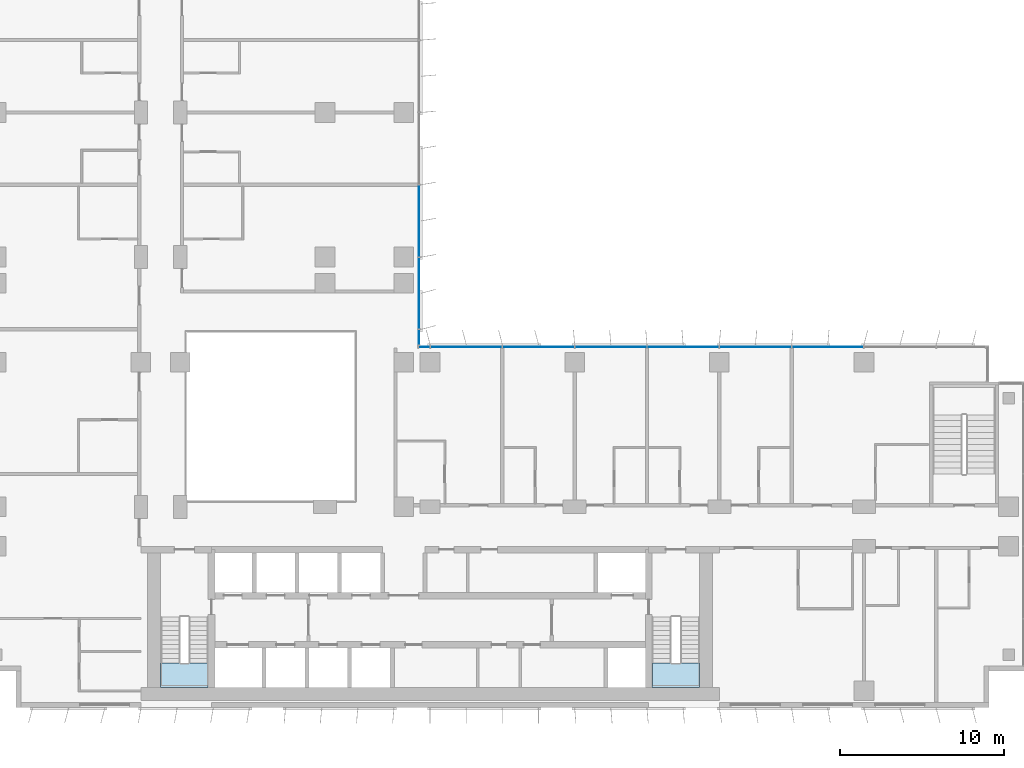
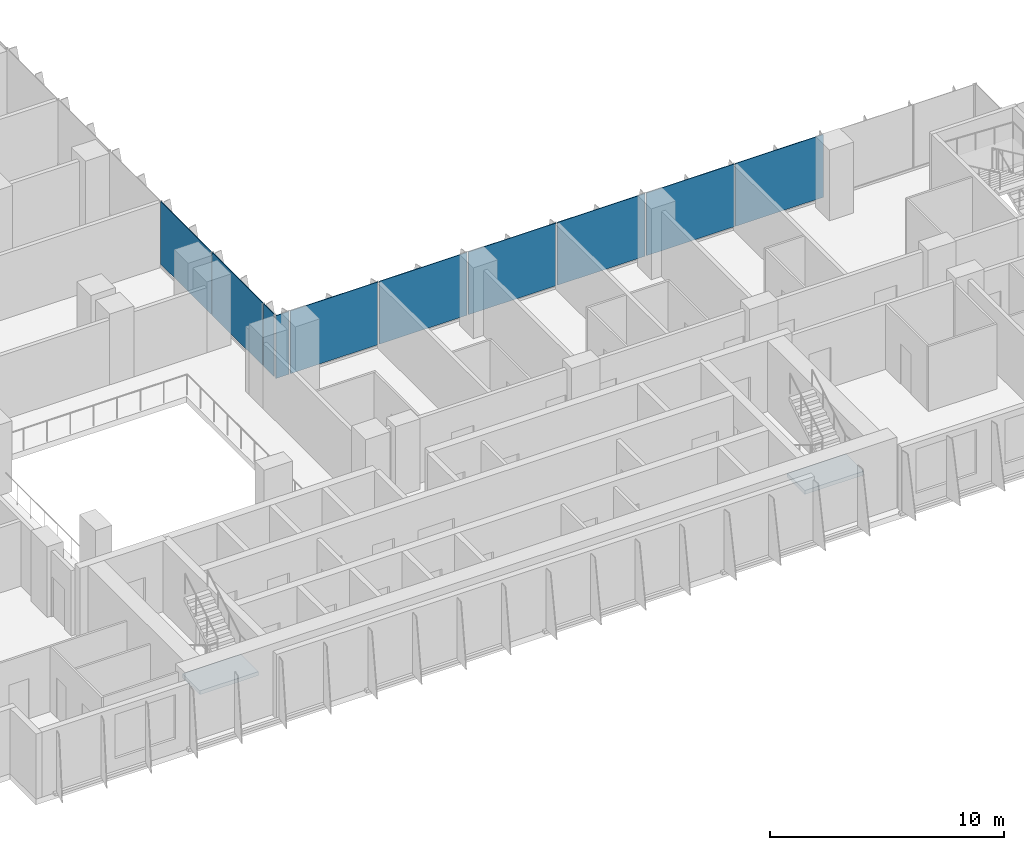
# One storey, part 10 of 23: 10 plates, 2 slabs, 4 elements without a shape of their own.
"""IFC4 building model written with IfcOpenShell, lengths in metres."""

from ifc_helpers import new_model, si_unit, direction, frame, origin, origin_2d, place, context, subcontext, project, spatial, polyline, rectangle, outline, extrude, source, transform, mapped, material, layer, layer_set, type_object, element, aggregate, save


model = new_model("IFC4")

# Units and contexts
model_context = context("Model", 3, precision=1e-05, world=origin(), true_north=direction((0.0, 1.0)))
body_context = subcontext(model_context, "Body", "Model", "MODEL_VIEW")
ifc_project = project(units=[si_unit("LENGTHUNIT", "METRE"), si_unit("AREAUNIT", "SQUARE_METRE"), si_unit("VOLUMEUNIT", "CUBIC_METRE"), si_unit("PLANEANGLEUNIT", "RADIAN"), si_unit("MASSUNIT", "GRAM", prefix="KILO")], contexts=[model_context])

# Site, building, storey
site_placement = place(None, origin())
site = spatial("IfcSite", under=ifc_project, at=site_placement, CompositionType="ELEMENT")
building_placement = place(site_placement, origin())
building = spatial("IfcBuilding", under=site, at=building_placement, Name="Kemantara Hotel Tower", CompositionType="ELEMENT")
storey_placement = place(building_placement, frame((0.0, 0.0, 138.300048828125)))
storey = spatial("IfcBuildingStorey", under=building, at=storey_placement, Name="L33", CompositionType="ELEMENT", Elevation=138.300048828125)

# Stair, slab
ifc_material_1 = material(Name="Concrete fc 40 MPa", Category="concrete")
stair_type = type_object("IfcStairType", Name="Stair 1200 wide 22 risers of 168 x 280 mm", PredefinedType="HALF_TURN_STAIR", material=ifc_material_1)
stair_1_placement = place(storey_placement, origin())
stair_1 = element("IfcStair", 1, at=stair_1_placement, inside=storey, type_object=stair_type, Name="L33 Exit stair ST1", PredefinedType="HALF_TURN_STAIR")
ifc_layer_1 = layer(ifc_material_1, 0.199951171875)
ifc_layer_set_1 = layer_set([ifc_layer_1], Name="Concrete fc 40 MPa")
slab_type = type_object("IfcSlabType", Name="Stair landing 200 mm", PredefinedType="LANDING", material=ifc_layer_set_1)
slab_1_placement = place(storey_placement, frame((0.0, 0.0, 1.64990234375)))
slab_1 = element("IfcSlab", 2, at=slab_1_placement, type_object=slab_type, Name="ST1 landing 1", PredefinedType="LANDING", context=body_context, shape_type="SweptSolid", body=[
    extrude(outline(polyline([(11.0, 2.699951171875), (11.0, 1.199951171875), (13.89990234375, 1.199951171875), (13.89990234375, 2.699951171875), (11.0, 2.699951171875)])), origin(), (0.0, 0.0, 1.0), 0.199951171875),
])
aggregate(stair_1, [slab_1])

stair_2_placement = place(storey_placement, origin())
stair_2 = element("IfcStair", 3, at=stair_2_placement, inside=storey, type_object=stair_type, Name="L33 Exit stair ST2", PredefinedType="HALF_TURN_STAIR")
slab_2_placement = place(storey_placement, frame((0.0, 0.0, 1.64990234375)))
slab_2 = element("IfcSlab", 4, at=slab_2_placement, type_object=slab_type, Name="ST2 landing 1", PredefinedType="LANDING", context=body_context, shape_type="SweptSolid", body=[
    extrude(outline(polyline([(40.89990234375, 2.699951171875), (40.89990234375, 1.199951171875), (43.800048828125, 1.199951171875), (43.800048828125, 2.699951171875), (40.89990234375, 2.699951171875)])), origin(), (0.0, 0.0, 1.0), 0.199951171875),
])
aggregate(stair_2, [slab_2])

# Curtain wall, plates
ifc_material_2 = material(Name="Low-E tinted double insulated glass 36 mm", Category="glass")
curtain_wall_type = type_object("IfcCurtainWallType", Name="TOWER CURTAIN WALL, FRONT FACES", PredefinedType="USERDEFINED", material=ifc_material_2)
curtain_wall_1_placement = place(storey_placement, origin())
curtain_wall_1 = element("IfcCurtainWall", 5, at=curtain_wall_1_placement, inside=storey, type_object=curtain_wall_type, Name="CW4 L33 T2-R13-1", ObjectType="TOWER CURTAIN WALL, FRONT FACES", PredefinedType="USERDEFINED")
ifc_layer_2 = layer(ifc_material_2, 0.035888671875)
ifc_layer_set_2 = layer_set([ifc_layer_2], Name="Low-E tinted double insulated glass 36 mm")
plate_type = type_object("IfcPlateType", Name="TOWER CURTAIN WALL, FRONT FACES PANEL", PredefinedType="CURTAIN_PANEL", material=ifc_layer_set_2)
shared_shape_1 = source(origin(), body_context, "Body", "SweptSolid", [
    extrude(rectangle(XDim=4.340087890625, YDim=0.035888671875, at=origin_2d()), origin(), (0.0, 0.0, 1.0), 3.280029296875),
])
plate_1_placement = place(storey_placement, frame((51.60009765625, 21.925048828125, 0.1201171875), z_axis=(0.0, 0.0, 1.0), x_axis=(-1.0, 0.0, 0.0)))
plate_1 = element("IfcPlate", 6, at=plate_1_placement, type_object=plate_type, Name="CW4 glass panel T2-R13-1.3", PredefinedType="CURTAIN_PANEL", context=body_context, shape_type="MappedRepresentation", body=[
    mapped(shared_shape_1, transform((0.0, 0.0, 0.0))),
])
plate_2_placement = place(storey_placement, frame((47.199951171875, 21.925048828125, 0.1201171875), z_axis=(0.0, 0.0, 1.0), x_axis=(-1.0, 0.0, 0.0)))
plate_2 = element("IfcPlate", 7, at=plate_2_placement, type_object=plate_type, Name="CW4 glass panel T2-R13-1.4", PredefinedType="CURTAIN_PANEL", context=body_context, shape_type="MappedRepresentation", body=[
    mapped(shared_shape_1, transform((0.0, 0.0, 0.0))),
])
plate_3_placement = place(storey_placement, frame((42.800048828125, 21.925048828125, 0.1201171875), z_axis=(0.0, 0.0, 1.0), x_axis=(-1.0, 0.0, 0.0)))
plate_3 = element("IfcPlate", 8, at=plate_3_placement, type_object=plate_type, Name="CW4 glass panel T2-R13-1.5", PredefinedType="CURTAIN_PANEL", context=body_context, shape_type="MappedRepresentation", body=[
    mapped(shared_shape_1, transform((0.0, 0.0, 0.0))),
])
plate_4_placement = place(storey_placement, frame((38.39990234375, 21.925048828125, 0.1201171875), z_axis=(0.0, 0.0, 1.0), x_axis=(-1.0, 0.0, 0.0)))
plate_4 = element("IfcPlate", 9, at=plate_4_placement, type_object=plate_type, Name="CW4 glass panel T2-R13-1.6", PredefinedType="CURTAIN_PANEL", context=body_context, shape_type="MappedRepresentation", body=[
    mapped(shared_shape_1, transform((0.0, 0.0, 0.0))),
])
plate_5_placement = place(storey_placement, frame((34.0, 21.925048828125, 0.1201171875), z_axis=(0.0, 0.0, 1.0), x_axis=(-1.0, 0.0, 0.0)))
plate_5 = element("IfcPlate", 10, at=plate_5_placement, type_object=plate_type, Name="CW4 glass panel T2-R13-1.7", PredefinedType="CURTAIN_PANEL", context=body_context, shape_type="MappedRepresentation", body=[
    mapped(shared_shape_1, transform((0.0, 0.0, 0.0))),
])
plate_6_placement = place(storey_placement, frame((29.60009765625, 21.925048828125, 0.1201171875), z_axis=(0.0, 0.0, 1.0), x_axis=(-1.0, 0.0, 0.0)))
plate_6 = element("IfcPlate", 11, at=plate_6_placement, type_object=plate_type, Name="CW4 glass panel T2-R13-1.8", PredefinedType="CURTAIN_PANEL", context=body_context, shape_type="MappedRepresentation", body=[
    mapped(shared_shape_1, transform((0.0, 0.0, 0.0))),
])

curtain_wall_2_placement = place(storey_placement, origin())
curtain_wall_2 = element("IfcCurtainWall", 12, at=curtain_wall_2_placement, inside=storey, type_object=curtain_wall_type, Name="CW4 L33 T2-R14-1", ObjectType="TOWER CURTAIN WALL, FRONT FACES", PredefinedType="USERDEFINED")
plate_7_placement = place(storey_placement, frame((26.72509765625, 25.199951171875, 0.1201171875), z_axis=(0.0, 0.0, 1.0), x_axis=(0.0, 1.0, 0.0)))
plate_7 = element("IfcPlate", 13, at=plate_7_placement, type_object=plate_type, Name="CW4 glass panel T2-R14-1.2", PredefinedType="CURTAIN_PANEL", context=body_context, shape_type="MappedRepresentation", body=[
    mapped(shared_shape_1, transform((0.0, 0.0, 0.0))),
])
plate_8_placement = place(storey_placement, frame((26.72509765625, 29.60009765625, 0.1201171875), z_axis=(0.0, 0.0, 1.0), x_axis=(0.0, 1.0, 0.0)))
plate_8 = element("IfcPlate", 14, at=plate_8_placement, type_object=plate_type, Name="CW4 glass panel T2-R14-1.3", PredefinedType="CURTAIN_PANEL", context=body_context, shape_type="MappedRepresentation", body=[
    mapped(shared_shape_1, transform((0.0, 0.0, 0.0))),
])

# Plate
shared_shape_2 = source(origin(), body_context, "Body", "SweptSolid", [
    extrude(rectangle(XDim=0.659912109375, YDim=0.035888671875, at=origin_2d()), origin(), (0.0, 0.0, 1.0), 3.280029296875),
])
plate_9_placement = place(storey_placement, frame((27.0400390625, 21.925048828125, 0.1201171875), z_axis=(0.0, 0.0, 1.0), x_axis=(-1.0, 0.0, 0.0)))
plate_9 = element("IfcPlate", 15, at=plate_9_placement, type_object=plate_type, Name="CW4 glass panel T2-R13-1.9", PredefinedType="CURTAIN_PANEL", context=body_context, shape_type="MappedRepresentation", body=[
    mapped(shared_shape_2, transform((0.0, 0.0, 0.0))),
])

aggregate(curtain_wall_1, [plate_1, plate_2, plate_3, plate_4, plate_5, plate_6, plate_9])

shared_shape_3 = source(origin(), body_context, "Body", "SweptSolid", [
    extrude(rectangle(XDim=0.909912109375, YDim=0.035888671875, at=origin_2d()), origin(), (0.0, 0.0, 1.0), 3.280029296875),
])
plate_10_placement = place(storey_placement, frame((26.72509765625, 22.514892578125, 0.1201171875), z_axis=(0.0, 0.0, 1.0), x_axis=(0.0, 1.0, 0.0)))
plate_10 = element("IfcPlate", 16, at=plate_10_placement, type_object=plate_type, Name="CW4 glass panel T2-R14-1.1", PredefinedType="CURTAIN_PANEL", context=body_context, shape_type="MappedRepresentation", body=[
    mapped(shared_shape_3, transform((0.0, 0.0, 0.0))),
])

aggregate(curtain_wall_2, [plate_10, plate_7, plate_8])

save(model, "model.ifc")
